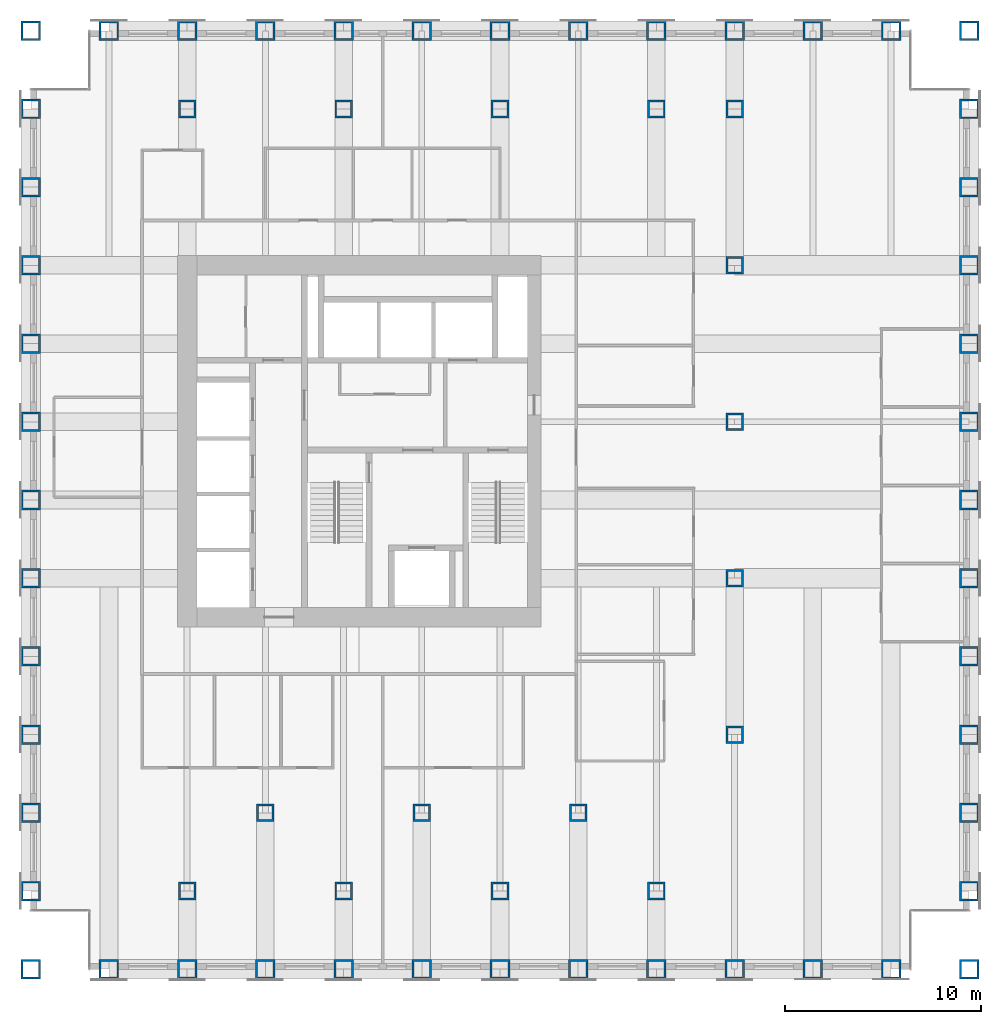
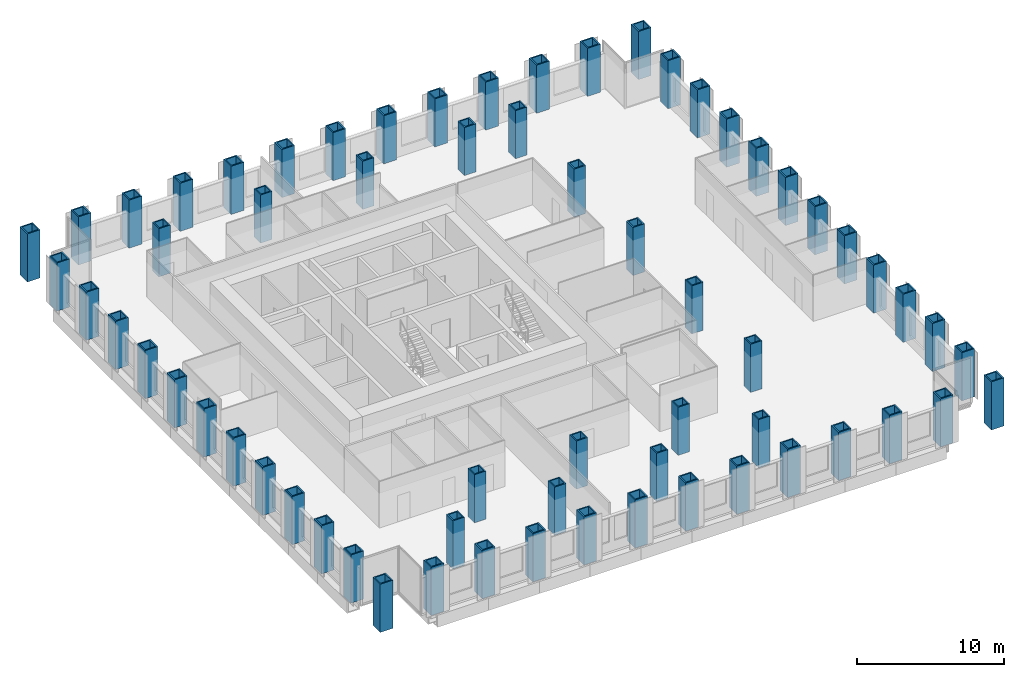
# One storey, part 1 of 16: 64 columns.
"""IFC4 building model written with IfcOpenShell, lengths in metres."""

import ifcopenshell
import ifcopenshell.guid

model = None  # the IFC model being written
_history = None  # IfcOwnerHistory: only IFC2X3 demands one
_inside = {}  # id of a spatial element -> (the spatial element, [elements in it])
_under = {}  # id of a project, library or spatial element -> (it, [spatial elements below it])
_declared = {}  # id of a project -> (the project, [libraries it declares])
_typed = {}  # id of a type object -> (the type object, [elements of that type])
_made_of = {}  # id of a material, layer set ... -> (it, [elements and type objects made of it])


def new_model(schema):
    """Start an empty IFC model of exactly this schema.

    Asked for "IFC4X3", IfcOpenShell would pick the latest addendum, in which some entities
    have other attributes; the version numbers below select the first issue.
    IFC2X3 requires an IfcOwnerHistory on every rooted entity: one is made here for all.
    """
    global model, _history
    if schema == "IFC4X3":
        model = ifcopenshell.file(schema_version=(4, 3, 0, 0))
    else:
        model = ifcopenshell.file(schema=schema)
    _inside.clear()
    _under.clear()
    _declared.clear()
    _typed.clear()
    _made_of.clear()
    _history = None
    if model.schema == "IFC2X3":
        org = make("IfcOrganization", Name="unknown")
        user = make(
            "IfcPersonAndOrganization",
            ThePerson=make("IfcPerson", FamilyName="unknown"),
            TheOrganization=org,
        )
        app = make(
            "IfcApplication",
            ApplicationDeveloper=org,
            Version="unknown",
            ApplicationFullName="unknown",
            ApplicationIdentifier="unknown",
        )
        _history = make(
            "IfcOwnerHistory",
            OwningUser=user,
            OwningApplication=app,
            ChangeAction="ADDED",
            CreationDate=0,
        )
    return model


def make(cls, **values):
    """One entity of the class cls with the attributes given. An attribute that is None is left unset."""
    return model.create_entity(
        cls, **{name: value for name, value in values.items() if value is not None}
    )


def rooted(cls, **values):
    """An entity with a GlobalId (a new one), such as an element, a storey or a relation."""
    return make(cls, GlobalId=ifcopenshell.guid.new(), OwnerHistory=_history, **values)


def si_unit(unit_type, name, prefix=None):
    """IfcSIUnit, for example si_unit("LENGTHUNIT", "METRE", prefix="MILLI")."""
    return make("IfcSIUnit", UnitType=unit_type, Prefix=prefix, Name=name)


def assignment(units):
    """IfcUnitAssignment: the units of a project."""
    return None if units is None else make("IfcUnitAssignment", Units=units)


def point(xyz):
    """IfcCartesianPoint."""
    return None if xyz is None else make("IfcCartesianPoint", Coordinates=xyz)


def direction(xyz):
    """IfcDirection."""
    return None if xyz is None else make("IfcDirection", DirectionRatios=xyz)


def frame(location, z_axis=None, x_axis=None):
    """IfcAxis2Placement3D, a coordinate frame: its origin and axes. An axis left out is left unset."""
    return make(
        "IfcAxis2Placement3D",
        Location=point(location),
        Axis=direction(z_axis),
        RefDirection=direction(x_axis),
    )


def frame_2d(location, x_axis=None):
    """IfcAxis2Placement2D, a coordinate frame in the plane: its origin and x axis."""
    return make(
        "IfcAxis2Placement2D", Location=point(location), RefDirection=direction(x_axis)
    )


def origin():
    """The frame at (0, 0, 0) with its axes left unset."""
    return frame((0.0, 0.0, 0.0))


def origin_2d():
    """The frame at (0, 0) in the plane with its x axis left unset."""
    return frame_2d((0.0, 0.0))


def place(relative_to, where):
    """IfcLocalPlacement: puts the frame where relative to a parent placement (None: the world)."""
    return make(
        "IfcLocalPlacement", PlacementRelTo=relative_to, RelativePlacement=where
    )


def context(
    kind, dimensions, precision=None, world=None, true_north=None, identifier=None
):
    """IfcGeometricRepresentationContext, for example the 3D "Model" context."""
    return make(
        "IfcGeometricRepresentationContext",
        ContextIdentifier=identifier,
        ContextType=kind,
        CoordinateSpaceDimension=dimensions,
        Precision=precision,
        WorldCoordinateSystem=world,
        TrueNorth=true_north,
    )


def subcontext(parent, identifier, kind, view, scale=None):
    """IfcGeometricRepresentationSubContext, for example "Body" below "Model"."""
    return make(
        "IfcGeometricRepresentationSubContext",
        ContextIdentifier=identifier,
        ContextType=kind,
        ParentContext=parent,
        TargetScale=scale,
        TargetView=view,
    )


def project(units=None, contexts=None):
    """IfcProject with its units and contexts."""
    return rooted(
        "IfcProject",
        Name="project",
        RepresentationContexts=contexts,
        UnitsInContext=assignment(units),
    )


def spatial(cls, under=None, at=None, **own):
    """A site, building, storey or space (cls), placed at a placement, below another one or the project."""
    s = rooted(cls, ObjectPlacement=at, **own)
    if under is not None:
        _under.setdefault(under.id(), (under, []))[1].append(s)
    return s


def profile(cls, at=None, kind="AREA", **sizes):
    """A parametric profile (cls). Its sizes go by their IFC names, for example OverallWidth=200.0."""
    return make(cls, ProfileType=kind, Position=at, **sizes)


def hollow_rectangle(**sizes):
    """IfcRectangleHollowProfileDef."""
    return profile("IfcRectangleHollowProfileDef", **sizes)


def extrude(swept, where, along, depth):
    """IfcExtrudedAreaSolid: the profile swept, set in the frame where, extruded along a direction by depth."""
    return make(
        "IfcExtrudedAreaSolid",
        SweptArea=swept,
        Position=where,
        ExtrudedDirection=direction(along),
        Depth=depth,
    )


def shape(context_of_items, identifier, shape_type, items):
    """IfcShapeRepresentation: the items that make up one representation, for example the "Body"."""
    return make(
        "IfcShapeRepresentation",
        ContextOfItems=context_of_items,
        RepresentationIdentifier=identifier,
        RepresentationType=shape_type,
        Items=items,
    )


def material(Name=None, Category=None):
    """IfcMaterial."""
    return make("IfcMaterial", Name=Name, Category=Category)


def material_profile(
    of_material, cross_section, Name=None, Category=None, Priority=None
):
    """IfcMaterialProfile: a cross section and its material."""
    return make(
        "IfcMaterialProfile",
        Name=Name,
        Material=of_material,
        Profile=cross_section,
        Priority=Priority,
        Category=Category,
    )


def profile_set(profiles, Name=None, composite=None):
    """IfcMaterialProfileSet."""
    return make(
        "IfcMaterialProfileSet",
        Name=Name,
        MaterialProfiles=profiles,
        CompositeProfile=composite,
    )


def made_of(thing, what):
    """Note that an element or type object is made of a material, layer set ...; save() writes the relation."""
    if what is not None:
        _made_of.setdefault(what.id(), (what, []))[1].append(thing)
    return thing


def type_object(cls, material=None, **own):
    """A type object (cls), such as IfcWallType, which elements share."""
    return made_of(rooted(cls, **own), material)


def element(
    cls,
    number,
    at=None,
    inside=None,
    cuts=None,
    type_object=None,
    material=None,
    context=None,
    identifier="Body",
    shape_type=None,
    held_by="IfcProductDefinitionShape",
    body=None,
    shapes=None,
    **own,
):
    """One element of the class cls, such as IfcWall. Its Tag is "e" and its number.

    at: its placement. inside: the storey or other place that contains it. cuts: it is an
    opening in that element (IfcRelVoidsElement). A single representation is given by context,
    identifier, shape_type and body (its items); several are given by shapes. held_by: the class
    of the entity that holds the representations. save() writes the other relations.
    """
    e = rooted(cls, Tag="e%d" % number, ObjectPlacement=at, **own)
    if body is not None:
        shapes = [shape(context, identifier, shape_type, body)]
    if shapes is not None:
        e.Representation = make(held_by, Representations=shapes)
    if inside is not None:
        _inside.setdefault(inside.id(), (inside, []))[1].append(e)
    if cuts is not None:
        rooted(
            "IfcRelVoidsElement", RelatingBuildingElement=cuts, RelatedOpeningElement=e
        )
    if type_object is not None:
        _typed.setdefault(type_object.id(), (type_object, []))[1].append(e)
    return made_of(e, material)


def aggregate(whole, parts):
    """IfcRelAggregates: a whole, such as a stair, and the parts it consists of."""
    return rooted("IfcRelAggregates", RelatingObject=whole, RelatedObjects=parts)


def save(model, path):
    """Write the relations noted so far, then the file.

    IfcRelAggregates (storeys below a building ...), IfcRelContainedInSpatialStructure (elements
    in a storey), IfcRelDefinesByType, IfcRelAssociatesMaterial and IfcRelDeclares: one each for
    every whole, place, type object, material and project.
    """
    for whole, parts in _under.values():
        aggregate(whole, parts)
    for where, things in _inside.values():
        rooted(
            "IfcRelContainedInSpatialStructure",
            RelatedElements=things,
            RelatingStructure=where,
        )
    for kind, things in _typed.values():
        rooted("IfcRelDefinesByType", RelatedObjects=things, RelatingType=kind)
    for what, things in _made_of.values():
        rooted("IfcRelAssociatesMaterial", RelatedObjects=things, RelatingMaterial=what)
    for by, libraries in _declared.values():
        rooted("IfcRelDeclares", RelatingContext=by, RelatedDefinitions=libraries)
    model.write(path)


model = new_model("IFC4")

# Units and contexts
model_context = context("Model", 3, precision=1e-05, world=origin(), true_north=direction((0.0, 1.0)))
body_context = subcontext(model_context, "Body", "Model", "MODEL_VIEW")
ifc_project = project(units=[si_unit("LENGTHUNIT", "METRE"), si_unit("AREAUNIT", "SQUARE_METRE"), si_unit("VOLUMEUNIT", "CUBIC_METRE"), si_unit("PLANEANGLEUNIT", "RADIAN"), si_unit("MASSUNIT", "GRAM", prefix="KILO")], contexts=[model_context])

# Site, building, storey
site_placement = place(None, origin())
site = spatial("IfcSite", under=ifc_project, at=site_placement, CompositionType="ELEMENT")
building_placement = place(site_placement, origin())
building = spatial("IfcBuilding", under=site, at=building_placement, Name="Rimbunsela Tower", CompositionType="ELEMENT")
storey_placement = place(building_placement, frame((0.0, 0.0, 81.39990234375)))
storey = spatial("IfcBuildingStorey", under=building, at=storey_placement, Name="L19", CompositionType="ELEMENT", Elevation=81.39990234375)

# Columns
ifc_material_1 = material(Name="Steel BJ 55 (fy 410 MPa)", Category="steel")
ifc_material_profile_1 = material_profile(ifc_material_1, hollow_rectangle(XDim=1.0, YDim=1.0, WallThickness=0.10009765625, at=origin_2d()), Name="BOX 1000x1000x100")
ifc_profile_set_1 = profile_set([ifc_material_profile_1], Name="Steel BJ 55 (fy 410 MPa)")
column_type_1 = type_object("IfcColumnType", Name="Column BOX 1000x1000x100", PredefinedType="COLUMN", material=ifc_profile_set_1)
for number, where, z_axis, x_axis, name in (
    (1, (10.0, 0.0, 0.0), (0.0, 0.0, 1.0), (1.0, 0.0, 0.0), "Column C1 5/B L19"),
    (2, (10.0, 4.0, 0.0), (0.0, 0.0, 1.0), (1.0, 0.0, 0.0), "Column C1 5/C L19"),
    (3, (10.0, 8.0, 0.0), (0.0, 0.0, 1.0), (1.0, 0.0, 0.0), "Column C1 5/D L19"),
    (4, (10.0, 12.0, 0.0), (0.0, 0.0, 1.0), (1.0, 0.0, 0.0), "Column C1 5/E L19"),
    (5, (10.0, 16.0, 0.0), (0.0, 0.0, 1.0), (1.0, 0.0, 0.0), "Column C1 5/F L19"),
    (6, (10.0, 20.0, 0.0), (0.0, 0.0, 1.0), (1.0, 0.0, 0.0), "Column C1 5/G L19"),
    (7, (10.0, 24.0, 0.0), (0.0, 0.0, 1.0), (1.0, 0.0, 0.0), "Column C1 5/H L19"),
    (8, (10.0, 28.0, 0.0), (0.0, 0.0, 1.0), (1.0, 0.0, 0.0), "Column C1 5/J L19"),
    (9, (10.0, 32.0, 0.0), (0.0, 0.0, 1.0), (1.0, 0.0, 0.0), "Column C1 5/K L19"),
    (10, (10.0, 36.0, 0.0), (0.0, 0.0, 1.0), (1.0, 0.0, 0.0), "Column C1 5/L L19"),
    (11, (10.0, 40.0, 0.0), (0.0, 0.0, 1.0), (1.0, 0.0, 0.0), "Column C1 5/M L19"),
    (12, (10.0, 44.0, 0.0), (0.0, 0.0, 1.0), (1.0, 0.0, 0.0), "Column C1 5/N L19"),
    (13, (10.0, 48.0, 0.0), (0.0, 0.0, 1.0), (1.0, 0.0, 0.0), "Column C1 5/P L19"),
    (14, (14.0, 0.0, 0.0), (0.0, 0.0, 1.0), (1.0, 0.0, 0.0), "Column C1 6/B L19"),
    (15, (14.0, 48.0, 0.0), (0.0, 0.0, 1.0), (1.0, 0.0, 0.0), "Column C1 6/P L19"),
    (16, (18.0, 0.0, 0.0), (0.0, 0.0, 1.0), (1.0, 0.0, 0.0), "Column C1 7/B L19"),
    (17, (18.0, 48.0, 0.0), (0.0, 0.0, 1.0), (1.0, 0.0, 0.0), "Column C1 7/P L19"),
    (18, (22.0, 0.0, 0.0), (0.0, 0.0, 1.0), (1.0, 0.0, 0.0), "Column C1 8/B L19"),
    (19, (22.0, 48.0, 0.0), (0.0, 0.0, 1.0), (1.0, 0.0, 0.0), "Column C1 8/P L19"),
    (20, (26.0, 0.0, 0.0), (0.0, 0.0, 1.0), (1.0, 0.0, 0.0), "Column C1 9/B L19"),
    (21, (26.0, 48.0, 0.0), (0.0, 0.0, 1.0), (1.0, 0.0, 0.0), "Column C1 9/P L19"),
    (22, (30.0, 0.0, 0.0), (0.0, 0.0, 1.0), (1.0, 0.0, 0.0), "Column C1 10/B L19"),
    (23, (30.0, 48.0, 0.0), (0.0, 0.0, 1.0), (1.0, 0.0, 0.0), "Column C1 10/P L19"),
    (24, (34.0, 0.0, 0.0), (0.0, 0.0, 1.0), (1.0, 0.0, 0.0), "Column C1 11/B L19"),
    (25, (34.0, 48.0, 0.0), (0.0, 0.0, 1.0), (1.0, 0.0, 0.0), "Column C1 11/P L19"),
    (26, (38.0, 0.0, 0.0), (0.0, 0.0, 1.0), (1.0, 0.0, 0.0), "Column C1 12/B L19"),
    (27, (38.0, 48.0, 0.0), (0.0, 0.0, 1.0), (1.0, 0.0, 0.0), "Column C1 12/P L19"),
    (28, (42.0, 0.0, 0.0), (0.0, 0.0, 1.0), (1.0, 0.0, 0.0), "Column C1 13/B L19"),
    (29, (42.0, 48.0, 0.0), (0.0, 0.0, 1.0), (1.0, 0.0, 0.0), "Column C1 13/P L19"),
    (30, (46.0, 0.0, 0.0), (0.0, 0.0, 1.0), (1.0, 0.0, 0.0), "Column C1 14/B L19"),
    (31, (46.0, 48.0, 0.0), (0.0, 0.0, 1.0), (1.0, 0.0, 0.0), "Column C1 14/P L19"),
    (32, (50.0, 0.0, 0.0), (0.0, 0.0, 1.0), (1.0, 0.0, 0.0), "Column C1 15/B L19"),
    (33, (50.0, 48.0, 0.0), (0.0, 0.0, 1.0), (1.0, 0.0, 0.0), "Column C1 15/P L19"),
    (34, (54.0, 0.0, 0.0), (0.0, 0.0, 1.0), (1.0, 0.0, 0.0), "Column C1 16/B L19"),
    (35, (54.0, 48.0, 0.0), (0.0, 0.0, 1.0), (1.0, 0.0, 0.0), "Column C1 16/P L19"),
    (36, (58.0, 0.0, 0.0), (0.0, 0.0, 1.0), (1.0, 0.0, 0.0), "Column C1 17/B L19"),
    (37, (58.0, 4.0, 0.0), (0.0, 0.0, 1.0), (1.0, 0.0, 0.0), "Column C1 17/C L19"),
    (38, (58.0, 8.0, 0.0), (0.0, 0.0, 1.0), (1.0, 0.0, 0.0), "Column C1 17/D L19"),
    (39, (58.0, 12.0, 0.0), (0.0, 0.0, 1.0), (1.0, 0.0, 0.0), "Column C1 17/E L19"),
    (40, (58.0, 16.0, 0.0), (0.0, 0.0, 1.0), (1.0, 0.0, 0.0), "Column C1 17/F L19"),
    (41, (58.0, 20.0, 0.0), (0.0, 0.0, 1.0), (1.0, 0.0, 0.0), "Column C1 17/G L19"),
    (42, (58.0, 24.0, 0.0), (0.0, 0.0, 1.0), (1.0, 0.0, 0.0), "Column C1 17/H L19"),
    (43, (58.0, 28.0, 0.0), (0.0, 0.0, 1.0), (1.0, 0.0, 0.0), "Column C1 17/J L19"),
    (44, (58.0, 32.0, 0.0), (0.0, 0.0, 1.0), (1.0, 0.0, 0.0), "Column C1 17/K L19"),
    (45, (58.0, 36.0, 0.0), (0.0, 0.0, 1.0), (1.0, 0.0, 0.0), "Column C1 17/L L19"),
    (46, (58.0, 40.0, 0.0), (0.0, 0.0, 1.0), (1.0, 0.0, 0.0), "Column C1 17/M L19"),
    (47, (58.0, 44.0, 0.0), (0.0, 0.0, 1.0), (1.0, 0.0, 0.0), "Column C1 17/N L19"),
    (48, (58.0, 48.0, 0.0), (0.0, 0.0, 1.0), (1.0, 0.0, 0.0), "Column C1 17/P L19"),
):
    element("IfcColumn", number, at=place(storey_placement, frame(where, z_axis=z_axis, x_axis=x_axis)), inside=storey, type_object=column_type_1, Name=name, PredefinedType="COLUMN", context=body_context, shape_type="SweptSolid", body=[
        extrude(hollow_rectangle(XDim=1.0, YDim=1.0, WallThickness=0.10009765625, at=origin_2d()), origin(), (0.0, 0.0, 1.0), 4.0),
    ])
ifc_material_2 = material(Name="Steel BJ 55 (fy 410 MPa)", Category="steel")
ifc_material_profile_2 = material_profile(ifc_material_2, hollow_rectangle(XDim=0.89990234375, YDim=0.89990234375, WallThickness=0.10009765625, at=origin_2d()), Name="BOX 900x900x100")
ifc_profile_set_2 = profile_set([ifc_material_profile_2], Name="Steel BJ 55 (fy 410 MPa)")
column_type_2 = type_object("IfcColumnType", Name="Column BOX 900x900x100", PredefinedType="COLUMN", material=ifc_profile_set_2)
for number, where, z_axis, x_axis, name in (
    (49, (18.0, 4.0, 0.0), (0.0, 0.0, 1.0), (1.0, 0.0, 0.0), "Column C5 7/C L19"),
    (50, (18.0, 44.0, 0.0), (0.0, 0.0, 1.0), (1.0, 0.0, 0.0), "Column C5 7/N L19"),
    (51, (22.0, 8.0, 0.0), (0.0, 0.0, 1.0), (1.0, 0.0, 0.0), "Column C5 8/D L19"),
    (52, (26.0, 4.0, 0.0), (0.0, 0.0, 1.0), (1.0, 0.0, 0.0), "Column C5 9/C L19"),
    (53, (26.0, 44.0, 0.0), (0.0, 0.0, 1.0), (1.0, 0.0, 0.0), "Column C5 9/N L19"),
    (54, (30.0, 8.0, 0.0), (0.0, 0.0, 1.0), (1.0, 0.0, 0.0), "Column C5 10/D L19"),
    (55, (34.0, 4.0, 0.0), (0.0, 0.0, 1.0), (1.0, 0.0, 0.0), "Column C5 11/C L19"),
    (56, (34.0, 44.0, 0.0), (0.0, 0.0, 1.0), (1.0, 0.0, 0.0), "Column C5 11/N L19"),
    (57, (38.0, 8.0, 0.0), (0.0, 0.0, 1.0), (1.0, 0.0, 0.0), "Column C5 12/D L19"),
    (58, (42.0, 4.0, 0.0), (0.0, 0.0, 1.0), (1.0, 0.0, 0.0), "Column C5 13/C L19"),
    (59, (42.0, 44.0, 0.0), (0.0, 0.0, 1.0), (1.0, 0.0, 0.0), "Column C5 13/N L19"),
    (60, (46.0, 12.0, 0.0), (0.0, 0.0, 1.0), (1.0, 0.0, 0.0), "Column C5 14/E L19"),
    (61, (46.0, 20.0, 0.0), (0.0, 0.0, 1.0), (1.0, 0.0, 0.0), "Column C5 14/G L19"),
    (62, (46.0, 28.0, 0.0), (0.0, 0.0, 1.0), (1.0, 0.0, 0.0), "Column C5 14/J L19"),
    (63, (46.0, 36.0, 0.0), (0.0, 0.0, 1.0), (1.0, 0.0, 0.0), "Column C5 14/L L19"),
    (64, (46.0, 44.0, 0.0), (0.0, 0.0, 1.0), (1.0, 0.0, 0.0), "Column C5 14/N L19"),
):
    element("IfcColumn", number, at=place(storey_placement, frame(where, z_axis=z_axis, x_axis=x_axis)), inside=storey, type_object=column_type_2, Name=name, PredefinedType="COLUMN", context=body_context, shape_type="SweptSolid", body=[
        extrude(hollow_rectangle(XDim=0.89990234375, YDim=0.89990234375, WallThickness=0.10009765625, at=origin_2d()), origin(), (0.0, 0.0, 1.0), 4.0),
    ])

save(model, "model.ifc")
